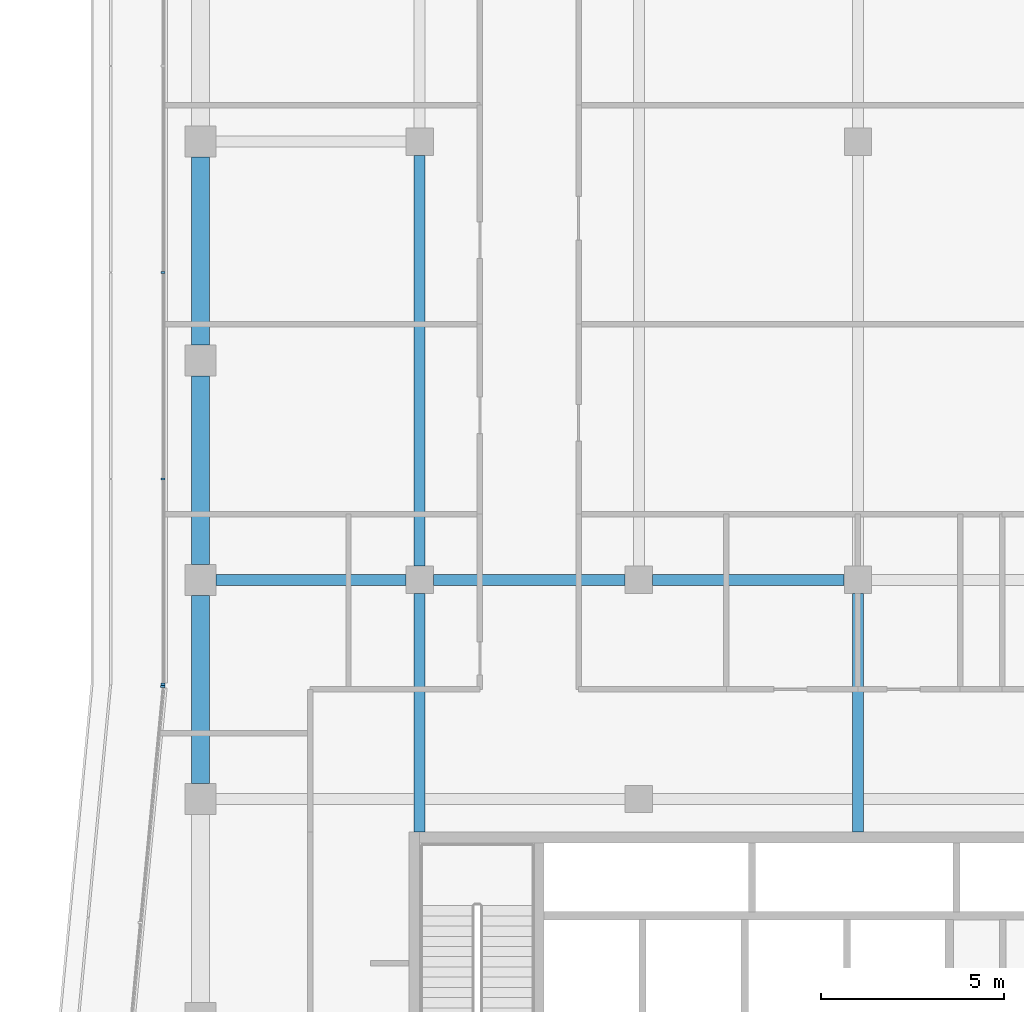
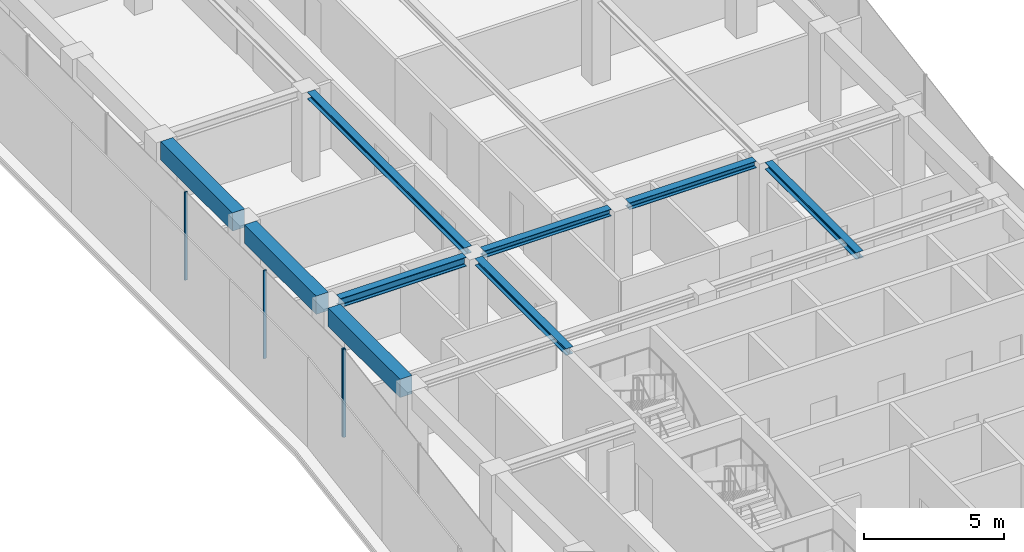
# One storey, part 7 of 25: 9 beams, 4 members, 2 elements without a shape of their own.
"""IFC4 building model written with IfcOpenShell, lengths in metres."""

import ifcopenshell
import ifcopenshell.guid

model = None  # the IFC model being written
_history = None  # IfcOwnerHistory: only IFC2X3 demands one
_inside = {}  # id of a spatial element -> (the spatial element, [elements in it])
_under = {}  # id of a project, library or spatial element -> (it, [spatial elements below it])
_declared = {}  # id of a project -> (the project, [libraries it declares])
_typed = {}  # id of a type object -> (the type object, [elements of that type])
_made_of = {}  # id of a material, layer set ... -> (it, [elements and type objects made of it])


def new_model(schema):
    """Start an empty IFC model of exactly this schema.

    Asked for "IFC4X3", IfcOpenShell would pick the latest addendum, in which some entities
    have other attributes; the version numbers below select the first issue.
    IFC2X3 requires an IfcOwnerHistory on every rooted entity: one is made here for all.
    """
    global model, _history
    if schema == "IFC4X3":
        model = ifcopenshell.file(schema_version=(4, 3, 0, 0))
    else:
        model = ifcopenshell.file(schema=schema)
    _inside.clear()
    _under.clear()
    _declared.clear()
    _typed.clear()
    _made_of.clear()
    _history = None
    if model.schema == "IFC2X3":
        org = make("IfcOrganization", Name="unknown")
        user = make(
            "IfcPersonAndOrganization",
            ThePerson=make("IfcPerson", FamilyName="unknown"),
            TheOrganization=org,
        )
        app = make(
            "IfcApplication",
            ApplicationDeveloper=org,
            Version="unknown",
            ApplicationFullName="unknown",
            ApplicationIdentifier="unknown",
        )
        _history = make(
            "IfcOwnerHistory",
            OwningUser=user,
            OwningApplication=app,
            ChangeAction="ADDED",
            CreationDate=0,
        )
    return model


def make(cls, **values):
    """One entity of the class cls with the attributes given. An attribute that is None is left unset."""
    return model.create_entity(
        cls, **{name: value for name, value in values.items() if value is not None}
    )


def rooted(cls, **values):
    """An entity with a GlobalId (a new one), such as an element, a storey or a relation."""
    return make(cls, GlobalId=ifcopenshell.guid.new(), OwnerHistory=_history, **values)


def si_unit(unit_type, name, prefix=None):
    """IfcSIUnit, for example si_unit("LENGTHUNIT", "METRE", prefix="MILLI")."""
    return make("IfcSIUnit", UnitType=unit_type, Prefix=prefix, Name=name)


def assignment(units):
    """IfcUnitAssignment: the units of a project."""
    return None if units is None else make("IfcUnitAssignment", Units=units)


def point(xyz):
    """IfcCartesianPoint."""
    return None if xyz is None else make("IfcCartesianPoint", Coordinates=xyz)


def direction(xyz):
    """IfcDirection."""
    return None if xyz is None else make("IfcDirection", DirectionRatios=xyz)


def frame(location, z_axis=None, x_axis=None):
    """IfcAxis2Placement3D, a coordinate frame: its origin and axes. An axis left out is left unset."""
    return make(
        "IfcAxis2Placement3D",
        Location=point(location),
        Axis=direction(z_axis),
        RefDirection=direction(x_axis),
    )


def frame_2d(location, x_axis=None):
    """IfcAxis2Placement2D, a coordinate frame in the plane: its origin and x axis."""
    return make(
        "IfcAxis2Placement2D", Location=point(location), RefDirection=direction(x_axis)
    )


def origin():
    """The frame at (0, 0, 0) with its axes left unset."""
    return frame((0.0, 0.0, 0.0))


def origin_2d():
    """The frame at (0, 0) in the plane with its x axis left unset."""
    return frame_2d((0.0, 0.0))


def place(relative_to, where):
    """IfcLocalPlacement: puts the frame where relative to a parent placement (None: the world)."""
    return make(
        "IfcLocalPlacement", PlacementRelTo=relative_to, RelativePlacement=where
    )


def context(
    kind, dimensions, precision=None, world=None, true_north=None, identifier=None
):
    """IfcGeometricRepresentationContext, for example the 3D "Model" context."""
    return make(
        "IfcGeometricRepresentationContext",
        ContextIdentifier=identifier,
        ContextType=kind,
        CoordinateSpaceDimension=dimensions,
        Precision=precision,
        WorldCoordinateSystem=world,
        TrueNorth=true_north,
    )


def subcontext(parent, identifier, kind, view, scale=None):
    """IfcGeometricRepresentationSubContext, for example "Body" below "Model"."""
    return make(
        "IfcGeometricRepresentationSubContext",
        ContextIdentifier=identifier,
        ContextType=kind,
        ParentContext=parent,
        TargetScale=scale,
        TargetView=view,
    )


def project(units=None, contexts=None):
    """IfcProject with its units and contexts."""
    return rooted(
        "IfcProject",
        Name="project",
        RepresentationContexts=contexts,
        UnitsInContext=assignment(units),
    )


def spatial(cls, under=None, at=None, **own):
    """A site, building, storey or space (cls), placed at a placement, below another one or the project."""
    s = rooted(cls, ObjectPlacement=at, **own)
    if under is not None:
        _under.setdefault(under.id(), (under, []))[1].append(s)
    return s


def profile(cls, at=None, kind="AREA", **sizes):
    """A parametric profile (cls). Its sizes go by their IFC names, for example OverallWidth=200.0."""
    return make(cls, ProfileType=kind, Position=at, **sizes)


def rectangle(**sizes):
    """IfcRectangleProfileDef."""
    return profile("IfcRectangleProfileDef", **sizes)


def i_section(**sizes):
    """IfcIShapeProfileDef."""
    return profile("IfcIShapeProfileDef", **sizes)


def extrude(swept, where, along, depth):
    """IfcExtrudedAreaSolid: the profile swept, set in the frame where, extruded along a direction by depth."""
    return make(
        "IfcExtrudedAreaSolid",
        SweptArea=swept,
        Position=where,
        ExtrudedDirection=direction(along),
        Depth=depth,
    )


def shape(context_of_items, identifier, shape_type, items):
    """IfcShapeRepresentation: the items that make up one representation, for example the "Body"."""
    return make(
        "IfcShapeRepresentation",
        ContextOfItems=context_of_items,
        RepresentationIdentifier=identifier,
        RepresentationType=shape_type,
        Items=items,
    )


def material(Name=None, Category=None):
    """IfcMaterial."""
    return make("IfcMaterial", Name=Name, Category=Category)


def layer(
    of_material, thickness, ventilated=None, Name=None, Category=None, Priority=None
):
    """IfcMaterialLayer: one layer of a wall or slab, of a material (None: an air gap)."""
    return make(
        "IfcMaterialLayer",
        Material=of_material,
        LayerThickness=thickness,
        IsVentilated=ventilated,
        Name=Name,
        Category=Category,
        Priority=Priority,
    )


def layer_set(layers, Name=None):
    """IfcMaterialLayerSet."""
    return make("IfcMaterialLayerSet", MaterialLayers=layers, LayerSetName=Name)


def material_profile(
    of_material, cross_section, Name=None, Category=None, Priority=None
):
    """IfcMaterialProfile: a cross section and its material."""
    return make(
        "IfcMaterialProfile",
        Name=Name,
        Material=of_material,
        Profile=cross_section,
        Priority=Priority,
        Category=Category,
    )


def profile_set(profiles, Name=None, composite=None):
    """IfcMaterialProfileSet."""
    return make(
        "IfcMaterialProfileSet",
        Name=Name,
        MaterialProfiles=profiles,
        CompositeProfile=composite,
    )


def made_of(thing, what):
    """Note that an element or type object is made of a material, layer set ...; save() writes the relation."""
    if what is not None:
        _made_of.setdefault(what.id(), (what, []))[1].append(thing)
    return thing


def type_object(cls, material=None, **own):
    """A type object (cls), such as IfcWallType, which elements share."""
    return made_of(rooted(cls, **own), material)


def element(
    cls,
    number,
    at=None,
    inside=None,
    cuts=None,
    type_object=None,
    material=None,
    context=None,
    identifier="Body",
    shape_type=None,
    held_by="IfcProductDefinitionShape",
    body=None,
    shapes=None,
    **own,
):
    """One element of the class cls, such as IfcWall. Its Tag is "e" and its number.

    at: its placement. inside: the storey or other place that contains it. cuts: it is an
    opening in that element (IfcRelVoidsElement). A single representation is given by context,
    identifier, shape_type and body (its items); several are given by shapes. held_by: the class
    of the entity that holds the representations. save() writes the other relations.
    """
    e = rooted(cls, Tag="e%d" % number, ObjectPlacement=at, **own)
    if body is not None:
        shapes = [shape(context, identifier, shape_type, body)]
    if shapes is not None:
        e.Representation = make(held_by, Representations=shapes)
    if inside is not None:
        _inside.setdefault(inside.id(), (inside, []))[1].append(e)
    if cuts is not None:
        rooted(
            "IfcRelVoidsElement", RelatingBuildingElement=cuts, RelatedOpeningElement=e
        )
    if type_object is not None:
        _typed.setdefault(type_object.id(), (type_object, []))[1].append(e)
    return made_of(e, material)


def aggregate(whole, parts):
    """IfcRelAggregates: a whole, such as a stair, and the parts it consists of."""
    return rooted("IfcRelAggregates", RelatingObject=whole, RelatedObjects=parts)


def save(model, path):
    """Write the relations noted so far, then the file.

    IfcRelAggregates (storeys below a building ...), IfcRelContainedInSpatialStructure (elements
    in a storey), IfcRelDefinesByType, IfcRelAssociatesMaterial and IfcRelDeclares: one each for
    every whole, place, type object, material and project.
    """
    for whole, parts in _under.values():
        aggregate(whole, parts)
    for where, things in _inside.values():
        rooted(
            "IfcRelContainedInSpatialStructure",
            RelatedElements=things,
            RelatingStructure=where,
        )
    for kind, things in _typed.values():
        rooted("IfcRelDefinesByType", RelatedObjects=things, RelatingType=kind)
    for what, things in _made_of.values():
        rooted("IfcRelAssociatesMaterial", RelatedObjects=things, RelatingMaterial=what)
    for by, libraries in _declared.values():
        rooted("IfcRelDeclares", RelatingContext=by, RelatedDefinitions=libraries)
    model.write(path)


model = new_model("IFC4")

# Units and contexts
model_context = context("Model", 3, precision=1e-05, world=origin(), true_north=direction((0.0, 1.0)))
body_context = subcontext(model_context, "Body", "Model", "MODEL_VIEW")
ifc_project = project(units=[si_unit("LENGTHUNIT", "METRE"), si_unit("AREAUNIT", "SQUARE_METRE"), si_unit("VOLUMEUNIT", "CUBIC_METRE"), si_unit("PLANEANGLEUNIT", "RADIAN"), si_unit("MASSUNIT", "GRAM", prefix="KILO")], contexts=[model_context])

# Site, building, storey
site_placement = place(None, origin())
site = spatial("IfcSite", under=ifc_project, at=site_placement, CompositionType="ELEMENT")
building_placement = place(site_placement, origin())
building = spatial("IfcBuilding", under=site, at=building_placement, Name="Welwitschia Terrace Campus", CompositionType="ELEMENT")
storey_placement = place(building_placement, frame((0.0, 0.0, 264.199951171875)))
storey = spatial("IfcBuildingStorey", under=building, at=storey_placement, Name="L58", CompositionType="ELEMENT", Elevation=264.199951171875)

# Beams
ifc_material_1 = material(Name="Steel S355", Category="steel")
ifc_material_profile_1 = material_profile(ifc_material_1, i_section(OverallWidth=0.300048828125, OverallDepth=0.300048828125, WebThickness=0.010986328125, FlangeThickness=0.01904296875, FilletRadius=0.027099609375, at=origin_2d()))
ifc_profile_set_1 = profile_set([ifc_material_profile_1], Name="Steel S355")
beam_type_1 = type_object("IfcBeamType", Name="Interior girder HE 300 B", PredefinedType="BEAM", material=ifc_profile_set_1)
for number, where, z_axis, x_axis, name in (
    (1, (6.37548828125, 32.0, 3.699951171875), (1.0, 0.0, 0.0), (0.0, 1.0, 0.0), "Girder GB6"),
    (2, (12.37548828125, 32.0, 3.699951171875), (1.0, 0.0, 0.0), (0.0, 1.0, 0.0), "Girder GB6"),
):
    element("IfcBeam", number, at=place(storey_placement, frame(where, z_axis=z_axis, x_axis=x_axis)), inside=storey, type_object=beam_type_1, Name=name, PredefinedType="BEAM", context=body_context, shape_type="SweptSolid", body=[
        extrude(i_section(OverallWidth=0.300048828125, OverallDepth=0.300048828125, WebThickness=0.010986328125, FlangeThickness=0.01904296875, FilletRadius=0.027099609375, at=origin_2d()), origin(), (0.0, 0.0, 1.0), 5.2490234375),
    ])
beam_1_placement = place(storey_placement, frame((6.0, 25.10107421875, 3.699951171875), z_axis=(0.0, 1.0, 0.0), x_axis=(-1.0, 0.0, 0.0)))
element("IfcBeam", 3, at=beam_1_placement, inside=storey, type_object=beam_type_1, Name="Girder GB6", PredefinedType="BEAM", context=body_context, shape_type="SweptSolid", body=[
    extrude(i_section(OverallWidth=0.300048828125, OverallDepth=0.300048828125, WebThickness=0.010986328125, FlangeThickness=0.01904296875, FilletRadius=0.027099609375, at=origin_2d()), origin(), (0.0, 0.0, 1.0), 6.5234375),
])
beam_2_placement = place(storey_placement, frame((6.0, 32.37548828125, 3.699951171875), z_axis=(0.0, 1.0, 0.0), x_axis=(-1.0, 0.0, 0.0)))
element("IfcBeam", 4, at=beam_2_placement, inside=storey, type_object=beam_type_1, Name="Girder GB6", PredefinedType="BEAM", context=body_context, shape_type="SweptSolid", body=[
    extrude(i_section(OverallWidth=0.300048828125, OverallDepth=0.300048828125, WebThickness=0.010986328125, FlangeThickness=0.01904296875, FilletRadius=0.027099609375, at=origin_2d()), origin(), (0.0, 0.0, 1.0), 11.2490234375),
])
beam_3_placement = place(storey_placement, frame((18.0, 25.10107421875, 3.699951171875), z_axis=(0.0, 1.0, 0.0), x_axis=(-1.0, 0.0, 0.0)))
element("IfcBeam", 5, at=beam_3_placement, inside=storey, type_object=beam_type_1, Name="Girder GB6", PredefinedType="BEAM", context=body_context, shape_type="SweptSolid", body=[
    extrude(i_section(OverallWidth=0.300048828125, OverallDepth=0.300048828125, WebThickness=0.010986328125, FlangeThickness=0.01904296875, FilletRadius=0.027099609375, at=origin_2d()), origin(), (0.0, 0.0, 1.0), 6.5234375),
])

# Curtain wall, members
ifc_material_2 = material(Name="Bronze anodised aluminium", Category="aluminium")
ifc_layer = layer(ifc_material_2, 0.1201171875)
ifc_layer_set = layer_set([ifc_layer], Name="Bronze anodised aluminium")
curtain_wall_type = type_object("IfcCurtainWallType", Name="Curtain wall CW2 tower 6000", PredefinedType="NOTDEFINED", material=ifc_layer_set)
curtain_wall_1_placement = place(storey_placement, origin())
curtain_wall_1 = element("IfcCurtainWall", 6, at=curtain_wall_1_placement, inside=storey, type_object=curtain_wall_type, Name="CW L58.0.0", PredefinedType="NOTDEFINED")
ifc_material_3 = material(Name="Bronze anodised aluminium", Category="aluminium")
ifc_material_profile_2 = material_profile(ifc_material_3, rectangle(XDim=0.1201171875, YDim=0.06005859375, at=origin_2d()))
ifc_profile_set_2 = profile_set([ifc_material_profile_2], Name="Bronze anodised aluminium")
member_type = type_object("IfcMemberType", Name="Mullion 60x120", PredefinedType="MULLION", material=ifc_profile_set_2)
member_1_placement = place(storey_placement, frame((-1.030029296875, 40.415771484375, 0.0), z_axis=(0.0, 0.0, 1.0), x_axis=(1.0, 0.0, 0.0)))
member_1 = element("IfcMember", 7, at=member_1_placement, type_object=member_type, Name="Mullion L58.0.0.4", PredefinedType="MULLION", context=body_context, shape_type="SweptSolid", body=[
    extrude(rectangle(XDim=0.1201171875, YDim=0.06005859375, at=origin_2d()), origin(), (0.0, 0.0, 1.0), 3.85009765625),
])
member_2_placement = place(storey_placement, frame((-1.030029296875, 34.76220703125, 0.0), z_axis=(0.0, 0.0, 1.0), x_axis=(1.0, 0.0, 0.0)))
member_2 = element("IfcMember", 8, at=member_2_placement, type_object=member_type, Name="Mullion L58.0.0.5", PredefinedType="MULLION", context=body_context, shape_type="SweptSolid", body=[
    extrude(rectangle(XDim=0.1201171875, YDim=0.06005859375, at=origin_2d()), origin(), (0.0, 0.0, 1.0), 3.85009765625),
])
member_3_placement = place(storey_placement, frame((-1.030029296875, 29.138671875, 0.0), z_axis=(0.0, 0.0, 1.0), x_axis=(1.0, 0.0, 0.0)))
member_3 = element("IfcMember", 9, at=member_3_placement, type_object=member_type, Name="Mullion L58.0.0.6", PredefinedType="MULLION", context=body_context, shape_type="SweptSolid", body=[
    extrude(rectangle(XDim=0.1201171875, YDim=0.06005859375, at=origin_2d()), origin(), (0.0, 0.0, 1.0), 3.85009765625),
])
aggregate(curtain_wall_1, [member_1, member_2, member_3])

# Curtain wall, member
curtain_wall_2_placement = place(storey_placement, origin())
curtain_wall_2 = element("IfcCurtainWall", 10, at=curtain_wall_2_placement, inside=storey, type_object=curtain_wall_type, Name="CW L58.1.0", PredefinedType="NOTDEFINED")
member_4_placement = place(storey_placement, frame((-1.032958984375, 29.078857421875, 0.0), z_axis=(0.0, 0.0, 1.0), x_axis=(0.995396198367, -0.09584575252, 0.0)))
member_4 = element("IfcMember", 11, at=member_4_placement, type_object=member_type, Name="Mullion L58.1.0.0", PredefinedType="MULLION", context=body_context, shape_type="SweptSolid", body=[
    extrude(rectangle(XDim=0.1201171875, YDim=0.06005859375, at=origin_2d()), origin(), (0.0, 0.0, 1.0), 3.85009765625),
])
aggregate(curtain_wall_2, [member_4])

# Beams
ifc_material_4 = material(Name="Steel S355", Category="steel")
ifc_material_profile_3 = material_profile(ifc_material_4, i_section(OverallWidth=0.300048828125, OverallDepth=0.39990234375, WebThickness=0.013427734375, FlangeThickness=0.02392578125, FilletRadius=0.027099609375, at=origin_2d()))
ifc_profile_set_3 = profile_set([ifc_material_profile_3], Name="Steel S355")
beam_type_2 = type_object("IfcBeamType", Name="Primary beam HE 400 B", PredefinedType="BEAM", material=ifc_profile_set_3)
beam_4_placement = place(storey_placement, frame((0.425537109375, 32.0, 3.650146484375), z_axis=(1.0, 0.0, 0.0), x_axis=(0.0, 1.0, 0.0)))
element("IfcBeam", 12, at=beam_4_placement, inside=storey, type_object=beam_type_2, Name="Primary beam PB6", PredefinedType="BEAM", context=body_context, shape_type="SweptSolid", body=[
    extrude(i_section(OverallWidth=0.300048828125, OverallDepth=0.39990234375, WebThickness=0.013427734375, FlangeThickness=0.02392578125, FilletRadius=0.027099609375, at=origin_2d()), origin(), (0.0, 0.0, 1.0), 5.198974609375),
])
ifc_material_5 = material(Name="Concrete C50/60", Category="concrete")
ifc_material_profile_4 = material_profile(ifc_material_5, rectangle(XDim=0.5, YDim=0.800048828125, at=origin_2d()))
ifc_profile_set_4 = profile_set([ifc_material_profile_4], Name="Concrete C50/60")
beam_type_3 = type_object("IfcBeamType", Name="Ring spandrel 500x800", PredefinedType="SPANDREL", material=ifc_profile_set_4)
for number, where, z_axis, x_axis, name in (
    (13, (0.0, 43.574462890625, 3.449951171875), (0.0, -1.0, 0.0), (1.0, 0.0, 0.0), "Spandrel SP4"),
    (14, (0.0, 37.574462890625, 3.449951171875), (0.0, -1.0, 0.0), (1.0, 0.0, 0.0), "Spandrel SP4"),
    (15, (0.0, 31.574462890625, 3.449951171875), (0.0, -1.0, 0.0), (1.0, 0.0, 0.0), "Spandrel SP4"),
):
    element("IfcBeam", number, at=place(storey_placement, frame(where, z_axis=z_axis, x_axis=x_axis)), inside=storey, type_object=beam_type_3, Name=name, PredefinedType="SPANDREL", context=body_context, shape_type="SweptSolid", body=[
        extrude(rectangle(XDim=0.5, YDim=0.800048828125, at=origin_2d()), origin(), (0.0, 0.0, 1.0), 5.14892578125),
    ])

save(model, "model.ifc")
